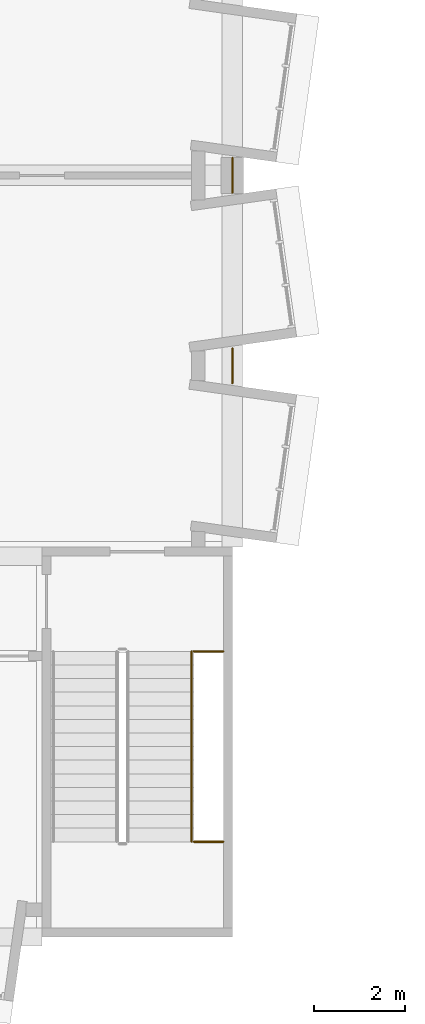
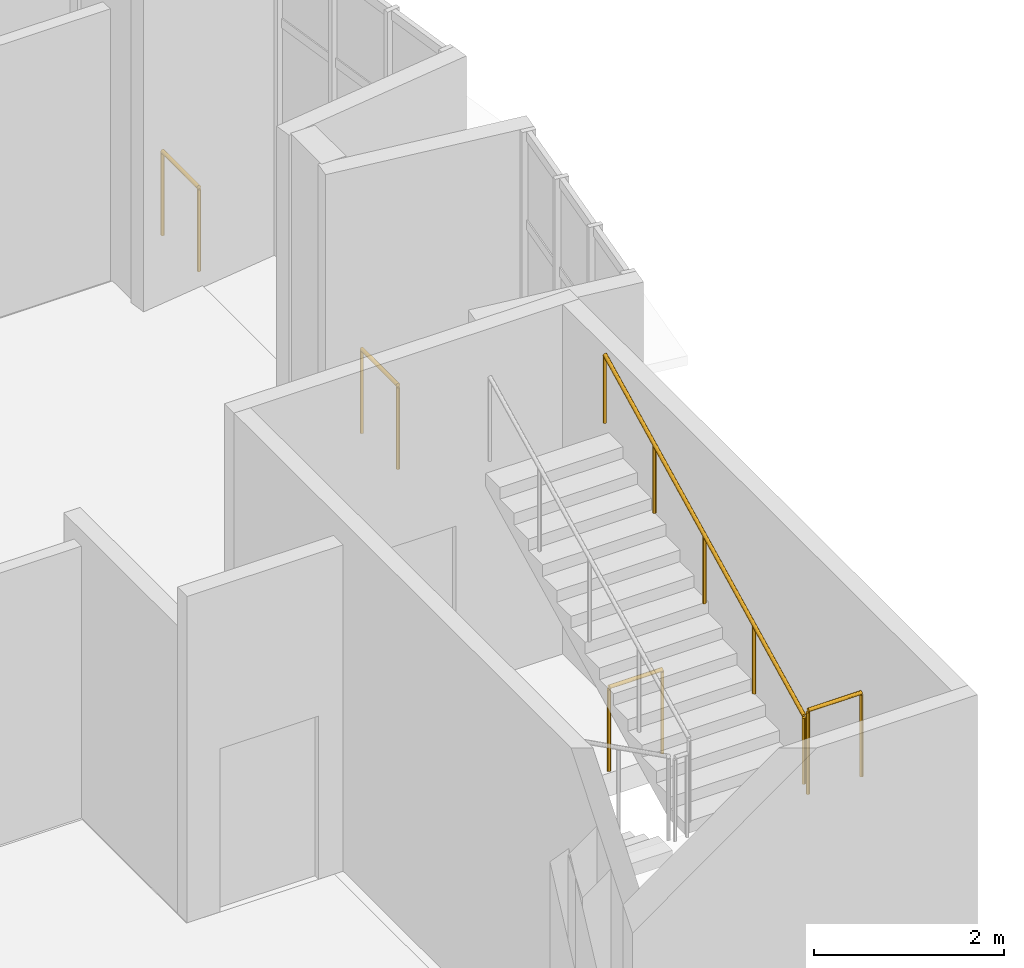
# One storey, part 93 of 95: 5 railings.
"""IFC4 building model written with IfcOpenShell, lengths in metres."""

from ifc_helpers import new_model, si_unit, direction, frame, origin, origin_2d, place, context, subcontext, project, spatial, circle, extrude, material, type_object, element, save


model = new_model("IFC4")

# Units and contexts
model_context = context("Model", 3, precision=1e-05, world=origin(), true_north=direction((0.0, 1.0)))
body_context = subcontext(model_context, "Body", "Model", "MODEL_VIEW")
ifc_project = project(units=[si_unit("LENGTHUNIT", "METRE"), si_unit("AREAUNIT", "SQUARE_METRE"), si_unit("VOLUMEUNIT", "CUBIC_METRE"), si_unit("PLANEANGLEUNIT", "RADIAN"), si_unit("MASSUNIT", "GRAM", prefix="KILO")], contexts=[model_context])

# Site, building, storey
site_placement = place(None, origin())
site = spatial("IfcSite", under=ifc_project, at=site_placement, CompositionType="ELEMENT")
building_placement = place(site_placement, origin())
building = spatial("IfcBuilding", under=site, at=building_placement, Name="Kiln Court Media Centre", CompositionType="ELEMENT")
storey_placement = place(building_placement, frame((0.0, 0.0, 24.60009765625)))
storey = spatial("IfcBuildingStorey", under=building, at=storey_placement, Name="L05", CompositionType="ELEMENT", Elevation=24.60009765625)

# Railings
ifc_material_1 = material(Name="Steel S275", Category="steel")
railing_type_1 = type_object("IfcRailingType", Name="Steel S275 balustrade guard 1100", PredefinedType="GUARDRAIL", material=ifc_material_1)
for number, where, name in (
    (1, (33.60009765625, 17.182373046875, 0.0), "L05 slab notch guard"),
    (2, (33.60009765625, 12.982421875, 0.0), "L05 slab notch guard"),
):
    element("IfcRailing", number, at=place(storey_placement, frame(where)), inside=storey, type_object=railing_type_1, Name=name, PredefinedType="GUARDRAIL", context=body_context, shape_type="SweptSolid", body=[
        extrude(circle(Radius=0.02392578125, at=origin_2d()), frame((0.0, 0.0, 1.076171875), z_axis=(0.0, -1.0, 0.0), x_axis=(1.0, 0.0, 0.0)), (0.0, 0.0, 1.0), 0.7646484375),
        extrude(circle(Radius=0.02099609375, at=origin_2d()), origin(), (0.0, 0.0, 1.0), 1.052001953125),
        extrude(circle(Radius=0.02099609375, at=origin_2d()), frame((0.0, -0.7646484375, 0.0)), (0.0, 0.0, 1.0), 1.052001953125),
    ])
ifc_material_2 = material(Name="Steel S275", Category="steel")
railing_type_2 = type_object("IfcRailingType", Name="Steel S275 stair guard 1100", PredefinedType="GUARDRAIL", material=ifc_material_2)
for number, where, name in (
    (3, (32.75, 2.10009765625, 2.25), "ST-03 landing edge guard"),
    (4, (32.75, 6.300048828125, 0.0), "ST-03 landing edge guard"),
):
    element("IfcRailing", number, at=place(storey_placement, frame(where)), inside=storey, type_object=railing_type_2, Name=name, PredefinedType="GUARDRAIL", context=body_context, shape_type="SweptSolid", body=[
        extrude(circle(Radius=0.02392578125, at=origin_2d()), frame((0.0, 0.0, 1.076171875), z_axis=(1.0, 0.0, 0.0), x_axis=(0.0, 1.0, 0.0)), (0.0, 0.0, 1.0), 0.64990234375),
        extrude(circle(Radius=0.02099609375, at=origin_2d()), origin(), (0.0, 0.0, 1.0), 1.052001953125),
        extrude(circle(Radius=0.02099609375, at=origin_2d()), frame((0.64990234375, 0.0, 0.0)), (0.0, 0.0, 1.0), 1.052001953125),
    ])
ifc_material_3 = material(Name="Steel S275", Category="steel")
railing_type_3 = type_object("IfcRailingType", Name="Steel S275 stair handrail 900", PredefinedType="HANDRAIL", material=ifc_material_3)
railing_placement = place(storey_placement, frame((32.699951171875, 2.10009765625, 2.39990234375)))
element("IfcRailing", 5, at=railing_placement, inside=storey, type_object=railing_type_3, Name="ST-03 stair handrail", PredefinedType="HANDRAIL", context=body_context, shape_type="SweptSolid", body=[
    extrude(circle(Radius=0.02392578125, at=origin_2d()), frame((0.0, 0.0, 0.8759765625), z_axis=(0.0, 0.894416792377, 0.447234392142), x_axis=(-1.0, 0.0, 0.0)), (0.0, 0.0, 1.0), 4.69580078125),
    extrude(circle(Radius=0.02099609375, at=origin_2d()), origin(), (0.0, 0.0, 1.0), 0.851806640625),
    extrude(circle(Radius=0.02099609375, at=origin_2d()), frame((0.0, 1.050048828125, 0.52490234375)), (0.0, 0.0, 1.0), 0.851806640625),
    extrude(circle(Radius=0.02099609375, at=origin_2d()), frame((0.0, 2.10009765625, 1.050048828125)), (0.0, 0.0, 1.0), 0.851806640625),
    extrude(circle(Radius=0.02099609375, at=origin_2d()), frame((0.0, 3.14990234375, 1.5751953125)), (0.0, 0.0, 1.0), 0.851806640625),
    extrude(circle(Radius=0.02099609375, at=origin_2d()), frame((0.0, 4.199951171875, 2.10009765625)), (0.0, 0.0, 1.0), 0.851806640625),
])

save(model, "model.ifc")
